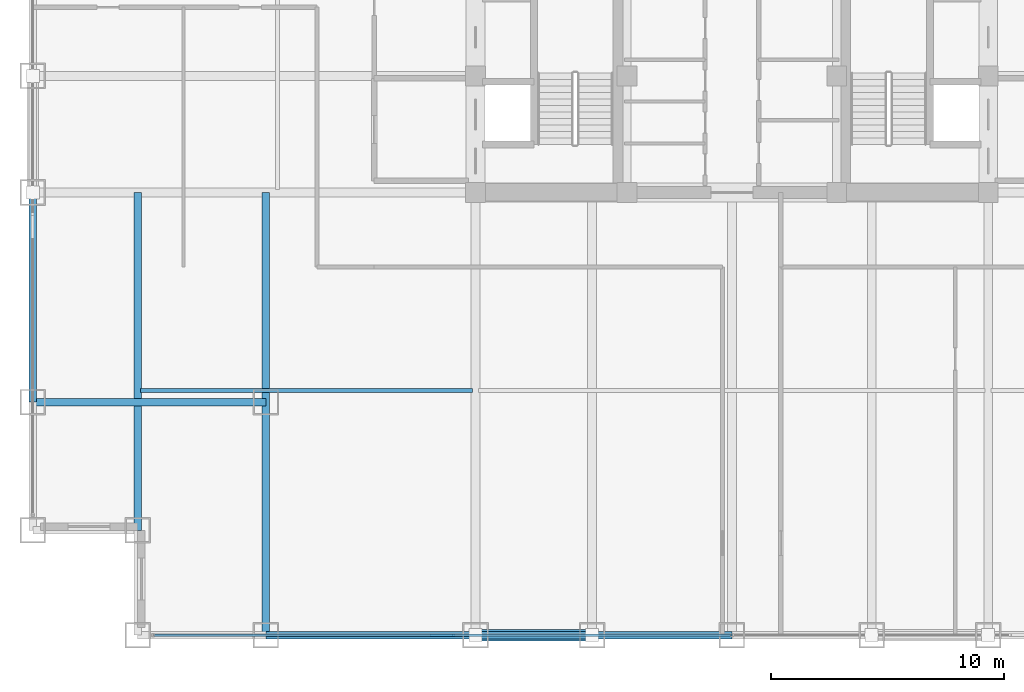
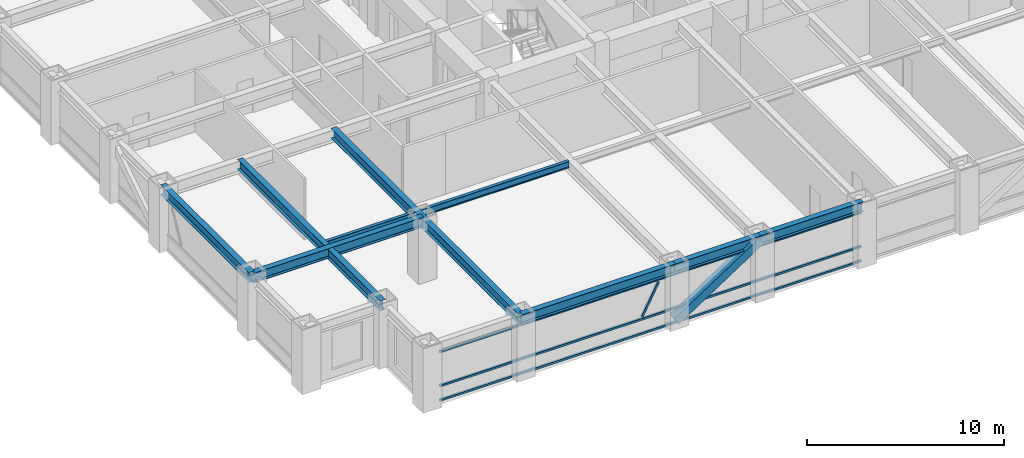
# One storey, part 3 of 25: 8 beams, 5 members, 1 element without a shape of its own.
"""IFC4 building model written with IfcOpenShell, lengths in metres."""

from ifc_helpers import new_model, si_unit, direction, frame, origin, origin_2d, place, context, subcontext, project, spatial, hollow_rectangle, i_section, extrude, source, transform, mapped, material, material_profile, profile_set, type_object, element, aggregate, save


model = new_model("IFC4")

# Units and contexts
model_context = context("Model", 3, precision=1e-05, world=origin(), true_north=direction((0.0, 1.0)))
body_context = subcontext(model_context, "Body", "Model", "MODEL_VIEW")
ifc_project = project(units=[si_unit("LENGTHUNIT", "METRE"), si_unit("AREAUNIT", "SQUARE_METRE"), si_unit("VOLUMEUNIT", "CUBIC_METRE"), si_unit("PLANEANGLEUNIT", "RADIAN"), si_unit("MASSUNIT", "GRAM", prefix="KILO")], contexts=[model_context])

# Site, building, storey
site_placement = place(None, origin())
site = spatial("IfcSite", under=ifc_project, at=site_placement, CompositionType="ELEMENT")
building_placement = place(site_placement, origin())
building = spatial("IfcBuilding", under=site, at=building_placement, Name="Khorayat Bourse Tower", CompositionType="ELEMENT")
storey_placement = place(building_placement, frame((0.0, 0.0, 199.10009765625)))
storey = spatial("IfcBuildingStorey", under=building, at=storey_placement, Name="L46", CompositionType="ELEMENT", Elevation=199.10009765625)

# Beams
ifc_material_1 = material(Name="Steel ASTM A992 Grade 50", Category="steel")
ifc_material_profile_1 = material_profile(ifc_material_1, i_section(OverallWidth=0.324951171875, OverallDepth=0.615966796875, WebThickness=0.013916015625, FlangeThickness=0.021484375, FilletRadius=0.01611328125, at=origin_2d()), Name="W610X174")
ifc_profile_set_1 = profile_set([ifc_material_profile_1], Name="Steel ASTM A992 Grade 50")
beam_type_1 = type_object("IfcBeamType", Name="BM-GIRD-610", PredefinedType="BEAM", material=ifc_profile_set_1)
shared_shape_1 = source(origin(), body_context, "Body", "SweptSolid", [
    extrude(i_section(OverallWidth=0.324951171875, OverallDepth=0.615966796875, WebThickness=0.013916015625, FlangeThickness=0.021484375, FilletRadius=0.01611328125, at=origin_2d()), origin(), (0.0, 0.0, 1.0), 19.0),
])
beam_1_placement = place(storey_placement, frame((-20.0, -30.0, 3.471923828125), z_axis=(0.0, 1.0, 0.0), x_axis=(-1.0, 0.0, 0.0)))
element("IfcBeam", 1, at=beam_1_placement, inside=storey, type_object=beam_type_1, Name="L46 BM-GIRD-610 BM-L46-CNRY-084", PredefinedType="BEAM", context=body_context, shape_type="MappedRepresentation", body=[
    mapped(shared_shape_1, transform((0.0, 0.0, 0.0), scale=1.0)),
])
shared_shape_2 = source(origin(), body_context, "Body", "SweptSolid", [
    extrude(i_section(OverallWidth=0.324951171875, OverallDepth=0.615966796875, WebThickness=0.013916015625, FlangeThickness=0.021484375, FilletRadius=0.01611328125, at=origin_2d()), origin(), (0.0, 0.0, 1.0), 14.5),
])
beam_2_placement = place(storey_placement, frame((-25.5, -25.5, 3.471923828125), z_axis=(0.0, 1.0, 0.0), x_axis=(-1.0, 0.0, 0.0)))
element("IfcBeam", 2, at=beam_2_placement, inside=storey, type_object=beam_type_1, Name="L46 BM-GIRD-610 BM-L46-CNRY-088", PredefinedType="BEAM", context=body_context, shape_type="MappedRepresentation", body=[
    mapped(shared_shape_2, transform((0.0, 0.0, 0.0), scale=1.0)),
])
shared_shape_3 = source(origin(), body_context, "Body", "SweptSolid", [
    extrude(i_section(OverallWidth=0.324951171875, OverallDepth=0.615966796875, WebThickness=0.013916015625, FlangeThickness=0.021484375, FilletRadius=0.01611328125, at=origin_2d()), origin(), (0.0, 0.0, 1.0), 10.0),
])
beam_3_placement = place(storey_placement, frame((-30.0, -20.0, 3.471923828125), z_axis=(1.0, 0.0, 0.0), x_axis=(0.0, 1.0, 0.0)))
element("IfcBeam", 3, at=beam_3_placement, inside=storey, type_object=beam_type_1, Name="L46 BM-GIRD-610 BM-L46-CNRX-093", PredefinedType="BEAM", context=body_context, shape_type="MappedRepresentation", body=[
    mapped(shared_shape_3, transform((0.0, 0.0, 0.0), scale=1.0)),
])
ifc_material_profile_2 = material_profile(ifc_material_1, i_section(OverallWidth=0.180908203125, OverallDepth=0.4169921875, WebThickness=0.010986328125, FlangeThickness=0.018310546875, FilletRadius=0.011962890625, at=origin_2d()), Name="W410X85")
ifc_profile_set_2 = profile_set([ifc_material_profile_2], Name="Steel ASTM A992 Grade 50")
beam_type_2 = type_object("IfcBeamType", Name="BM-JOIST-410", PredefinedType="JOIST", material=ifc_profile_set_2)
shared_shape_4 = source(origin(), body_context, "Body", "SweptSolid", [
    extrude(i_section(OverallWidth=0.180908203125, OverallDepth=0.4169921875, WebThickness=0.010986328125, FlangeThickness=0.018310546875, FilletRadius=0.011962890625, at=origin_2d()), origin(), (0.0, 0.0, 1.0), 14.240234375),
])
beam_4_placement = place(storey_placement, frame((-25.3701171875, -19.5, 3.5712890625), z_axis=(1.0, 0.0, 0.0), x_axis=(0.0, 1.0, 0.0)))
element("IfcBeam", 4, at=beam_4_placement, inside=storey, type_object=beam_type_2, Name="L46 BM-JOIST-410 BM-L46-JSTX-096", PredefinedType="JOIST", context=body_context, shape_type="MappedRepresentation", body=[
    mapped(shared_shape_4, transform((0.0, 0.0, 0.0), scale=1.0)),
])
ifc_material_profile_3 = material_profile(ifc_material_1, i_section(OverallWidth=0.324951171875, OverallDepth=0.615966796875, WebThickness=0.013916015625, FlangeThickness=0.021484375, FilletRadius=0.01611328125, at=origin_2d()), Name="W610X174")
ifc_profile_set_3 = profile_set([ifc_material_profile_3], Name="Steel ASTM A992 Grade 50")
beam_type_3 = type_object("IfcBeamType", Name="BM-SPAN-610", PredefinedType="SPANDREL", material=ifc_profile_set_3)
shared_shape_5 = source(origin(), body_context, "Body", "SweptSolid", [
    extrude(i_section(OverallWidth=0.324951171875, OverallDepth=0.615966796875, WebThickness=0.013916015625, FlangeThickness=0.021484375, FilletRadius=0.01611328125, at=origin_2d()), origin(), (0.0, 0.0, 1.0), 9.0),
])
for number, where, z_axis, x_axis, name in (
    (5, (-20.0, -30.0, 3.471923828125), (1.0, 0.0, 0.0), (0.0, 1.0, 0.0), "L46 BM-SPAN-610 BM-L46-SPN-025"),
    (6, (-30.0, -20.0, 3.471923828125), (0.0, 1.0, 0.0), (-1.0, 0.0, 0.0), "L46 BM-SPAN-610 BM-L46-SPN-060"),
):
    element("IfcBeam", number, at=place(storey_placement, frame(where, z_axis=z_axis, x_axis=x_axis)), inside=storey, type_object=beam_type_3, Name=name, PredefinedType="SPANDREL", context=body_context, shape_type="MappedRepresentation", body=[
        mapped(shared_shape_5, transform((0.0, 0.0, 0.0), scale=1.0)),
    ])
shared_shape_6 = source(origin(), body_context, "Body", "SweptSolid", [
    extrude(i_section(OverallWidth=0.324951171875, OverallDepth=0.615966796875, WebThickness=0.013916015625, FlangeThickness=0.021484375, FilletRadius=0.01611328125, at=origin_2d()), origin(), (0.0, 0.0, 1.0), 5.0),
])
beam_5_placement = place(storey_placement, frame((-11.0, -30.0, 3.471923828125), z_axis=(1.0, 0.0, 0.0), x_axis=(0.0, 1.0, 0.0)))
element("IfcBeam", 7, at=beam_5_placement, inside=storey, type_object=beam_type_3, Name="L46 BM-SPAN-610 BM-L46-SPN-026", PredefinedType="SPANDREL", context=body_context, shape_type="MappedRepresentation", body=[
    mapped(shared_shape_6, transform((0.0, 0.0, 0.0), scale=1.0)),
])
shared_shape_7 = source(origin(), body_context, "Body", "SweptSolid", [
    extrude(i_section(OverallWidth=0.324951171875, OverallDepth=0.615966796875, WebThickness=0.013916015625, FlangeThickness=0.021484375, FilletRadius=0.01611328125, at=origin_2d()), origin(), (0.0, 0.0, 1.0), 6.0),
])
beam_6_placement = place(storey_placement, frame((-6.0, -30.0, 3.471923828125), z_axis=(1.0, 0.0, 0.0), x_axis=(0.0, 1.0, 0.0)))
element("IfcBeam", 8, at=beam_6_placement, inside=storey, type_object=beam_type_3, Name="L46 BM-SPAN-610 BM-L46-SPN-027", PredefinedType="SPANDREL", context=body_context, shape_type="MappedRepresentation", body=[
    mapped(shared_shape_7, transform((0.0, 0.0, 0.0), scale=1.0)),
])

# Member
ifc_material_2 = material(Name="Steel EN 10025-4 S460M", Category="steel")
ifc_material_profile_4 = material_profile(ifc_material_2, hollow_rectangle(XDim=0.5, YDim=0.5, WallThickness=0.028076171875, at=origin_2d()), Name="HSS 500x500x28")
ifc_profile_set_4 = profile_set([ifc_material_profile_4], Name="Steel EN 10025-4 S460M")
member_type_1 = type_object("IfcMemberType", Name="MBR-TUBE-500", PredefinedType="BRACE", material=ifc_profile_set_4)
shared_shape_8 = source(origin(), body_context, "Body", "SweptSolid", [
    extrude(hollow_rectangle(XDim=0.5, YDim=0.5, WallThickness=0.028076171875, at=origin_2d()), origin(), (0.0, 0.0, 1.0), 5.979736328125),
])
member_1_placement = place(storey_placement, frame((-11.0, -30.0, 0.25), z_axis=(0.836160261256, 0.0, 0.548485202623), x_axis=(0.0, 1.0, 0.0)))
element("IfcMember", 9, at=member_1_placement, inside=storey, type_object=member_type_1, Name="L46 Perimeter Tube Brace 01", PredefinedType="BRACE", context=body_context, shape_type="MappedRepresentation", body=[
    mapped(shared_shape_8, transform((0.0, 0.0, 0.0), scale=1.0)),
])

# Curtain wall, members
ifc_material_3 = material(Name="Aluminium EN AW-6063 T6", Category="aluminium")
curtain_wall_type = type_object("IfcCurtainWallType", Name="CW-SYS-03", PredefinedType="NOTDEFINED", material=ifc_material_3)
curtain_wall_placement = place(storey_placement, origin())
curtain_wall = element("IfcCurtainWall", 10, at=curtain_wall_placement, inside=storey, type_object=curtain_wall_type, Name="L46 Curtain Wall CW-L46-S1", PredefinedType="NOTDEFINED")
ifc_material_profile_5 = material_profile(ifc_material_3, hollow_rectangle(XDim=0.1201171875, YDim=0.1201171875, WallThickness=0.0048828125, at=origin_2d()), Name="ALU 120x120x5")
ifc_profile_set_5 = profile_set([ifc_material_profile_5], Name="Aluminium EN AW-6063 T6")
member_type_2 = type_object("IfcMemberType", Name="CWM-DIAG-120", PredefinedType="MULLION", material=ifc_profile_set_5)
shared_shape_9 = source(origin(), body_context, "Body", "SweptSolid", [
    extrude(hollow_rectangle(XDim=0.1201171875, YDim=0.1201171875, WallThickness=0.0048828125, at=origin_2d()), origin(), (0.0, 0.0, 1.0), 2.079345703125),
])
member_2_placement = place(storey_placement, frame((-12.904296875, -30.0, 1.08984375), z_axis=(0.465760949701, 0.0, 0.884910581773), x_axis=(0.0, 1.0, 0.0)))
member_2 = element("IfcMember", 11, at=member_2_placement, type_object=member_type_2, Name="CW-L46-S1 Faceted Diagonal Mullion 1", PredefinedType="MULLION", context=body_context, shape_type="MappedRepresentation", body=[
    mapped(shared_shape_9, transform((0.0, 0.0, 0.0), scale=1.0)),
])
ifc_material_profile_6 = material_profile(ifc_material_3, hollow_rectangle(XDim=0.1201171875, YDim=0.1201171875, WallThickness=0.0048828125, at=origin_2d()), Name="ALU 120x120x5")
ifc_profile_set_6 = profile_set([ifc_material_profile_6], Name="Aluminium EN AW-6063 T6")
member_type_3 = type_object("IfcMemberType", Name="CWT-HORZ-120", PredefinedType="USERDEFINED", material=ifc_profile_set_6)
shared_shape_10 = source(origin(), body_context, "Body", "SweptSolid", [
    extrude(hollow_rectangle(XDim=0.1201171875, YDim=0.1201171875, WallThickness=0.0048828125, at=origin_2d()), origin(), (0.0, 0.0, 1.0), 24.719970703125),
])
member_3_placement = place(storey_placement, frame((-24.780029296875, -30.0, 0.059814453125), z_axis=(1.0, 0.0, 0.0), x_axis=(0.0, 1.0, 0.0)))
member_3 = element("IfcMember", 12, at=member_3_placement, type_object=member_type_3, Name="CW-L46-S1 Horizontal Transom 1-1", ObjectType="TRANSOM", PredefinedType="USERDEFINED", context=body_context, shape_type="MappedRepresentation", body=[
    mapped(shared_shape_10, transform((0.0, 0.0, 0.0), scale=1.0)),
])
member_4_placement = place(storey_placement, frame((-24.780029296875, -30.0, 0.949951171875), z_axis=(1.0, 0.0, 0.0), x_axis=(0.0, 1.0, 0.0)))
member_4 = element("IfcMember", 13, at=member_4_placement, type_object=member_type_3, Name="CW-L46-S1 Horizontal Transom 1-2", ObjectType="TRANSOM", PredefinedType="USERDEFINED", context=body_context, shape_type="MappedRepresentation", body=[
    mapped(shared_shape_10, transform((0.0, 0.0, 0.0), scale=1.0)),
])
member_5_placement = place(storey_placement, frame((-24.780029296875, -30.0, 3.06982421875), z_axis=(1.0, 0.0, 0.0), x_axis=(0.0, 1.0, 0.0)))
member_5 = element("IfcMember", 14, at=member_5_placement, type_object=member_type_3, Name="CW-L46-S1 Horizontal Transom 1-3", ObjectType="TRANSOM", PredefinedType="USERDEFINED", context=body_context, shape_type="MappedRepresentation", body=[
    mapped(shared_shape_10, transform((0.0, 0.0, 0.0), scale=1.0)),
])
aggregate(curtain_wall, [member_3, member_4, member_5, member_2])

save(model, "model.ifc")
